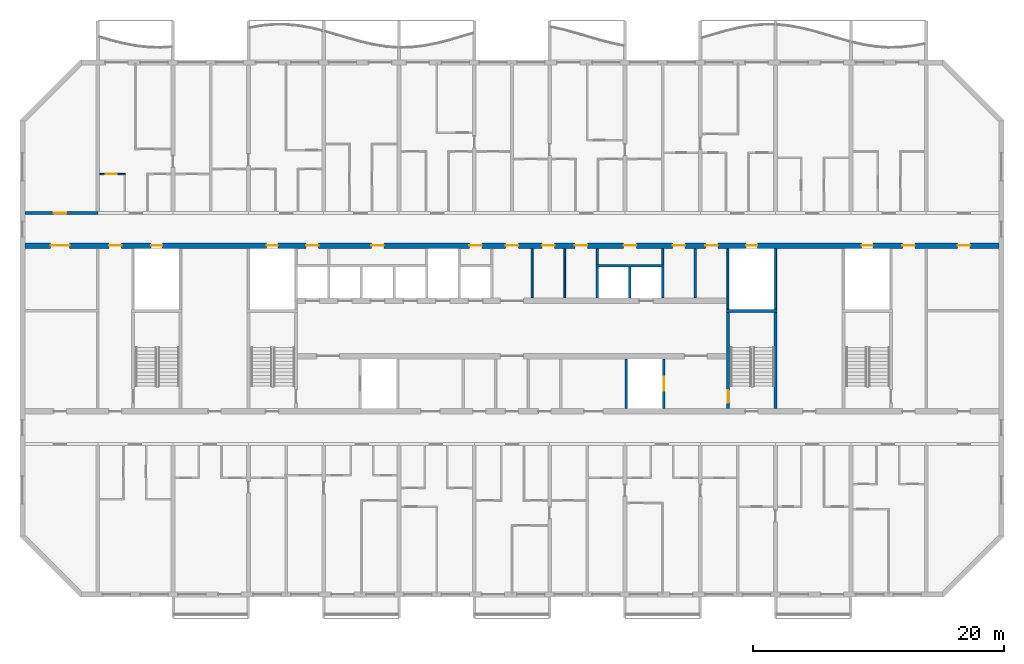
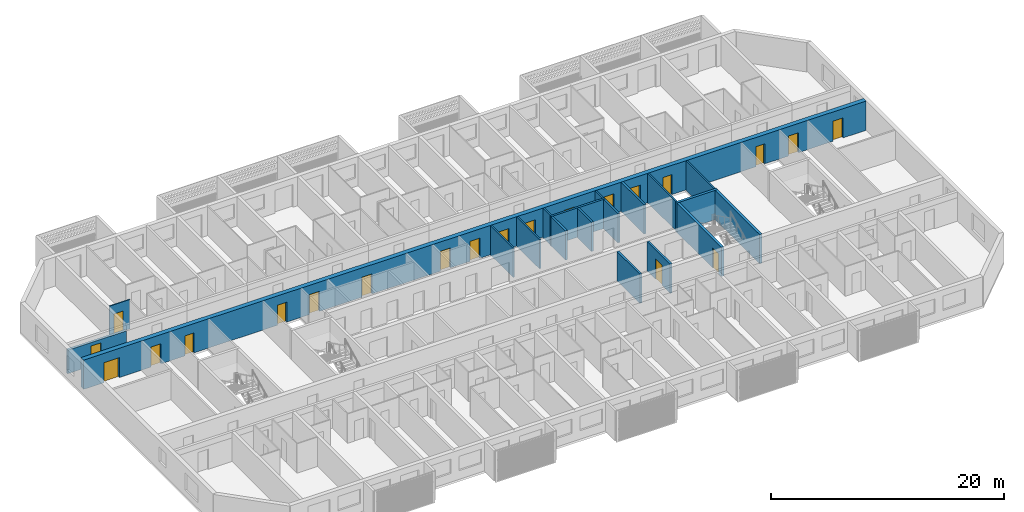
# One storey, part 8 of 33: 21 doors, 19 walls, 21 openings.
"""IFC4 building model written with IfcOpenShell, lengths in metres."""

from ifc_helpers import new_model, si_unit, direction, frame, frame_2d, origin, place, context, subcontext, project, spatial, rectangle, extrude, material, layer, layer_set, type_object, element, fill, save


model = new_model("IFC4")

# Units and contexts
model_context = context("Model", 3, precision=1e-05, world=origin(), true_north=direction((0.0, 1.0)))
body_context = subcontext(model_context, "Body", "Model", "MODEL_VIEW")
ifc_project = project(units=[si_unit("LENGTHUNIT", "METRE"), si_unit("AREAUNIT", "SQUARE_METRE"), si_unit("VOLUMEUNIT", "CUBIC_METRE"), si_unit("PLANEANGLEUNIT", "RADIAN"), si_unit("MASSUNIT", "GRAM", prefix="KILO")], contexts=[model_context])

# Site, building, storey
site_placement = place(None, origin())
site = spatial("IfcSite", under=ifc_project, at=site_placement, CompositionType="ELEMENT")
building_placement = place(site_placement, origin())
building = spatial("IfcBuilding", under=site, at=building_placement, Name="Poui Terraces", CompositionType="ELEMENT")
storey_placement = place(building_placement, frame((0.0, 0.0, 132.300048828125)))
storey = spatial("IfcBuildingStorey", under=building, at=storey_placement, Name="L36", CompositionType="ELEMENT", Elevation=132.300048828125)

# Wall
ifc_material_1 = material(Name="Fire-rated plasterboard wall")
ifc_layer_1 = layer(ifc_material_1, 0.14990234375)
ifc_layer_set_1 = layer_set([ifc_layer_1], Name="Fire-rated plasterboard wall")
wall_type_1 = type_object("IfcWallType", Name="CORRIDOR WALL 150", PredefinedType="PARTITIONING", material=ifc_layer_set_1)
wall_1_placement = place(storey_placement, frame((52.60009765625, 23.635009765625, 0.0), z_axis=(0.0, 0.0, 1.0), x_axis=(0.0, 1.0, 0.0)))
element("IfcWall", 1, at=wall_1_placement, inside=storey, type_object=wall_type_1, Name="CORRIDOR WALL 150", PredefinedType="PARTITIONING", context=body_context, shape_type="SweptSolid", body=[
    extrude(rectangle(XDim=3.929931640625, YDim=0.14990234375, at=frame_2d((1.96484375, 0.0))), origin(), (0.0, 0.0, 1.0), 3.070068359375),
])

# Wall, opening, door
ifc_material_2 = material(Name="Concrete 65 MPa", Category="concrete")
ifc_layer_2 = layer(ifc_material_2, 0.25)
ifc_layer_set_2 = layer_set([ifc_layer_2], Name="Concrete 65 MPa")
wall_type_2 = type_object("IfcWallType", Name="CORRIDOR WALL 250 65MPa", PredefinedType="SHEAR", material=ifc_layer_set_2)
wall_2_placement = place(storey_placement, frame((12.199951171875, 30.39990234375, 0.0), z_axis=(0.0, 0.0, 1.0), x_axis=(1.0, 0.0, 0.0)))
wall_2 = element("IfcWall", 2, at=wall_2_placement, inside=storey, type_object=wall_type_2, Name="CORRIDOR WALL LINE E BAY 1", PredefinedType="SHEAR", context=body_context, shape_type="SweptSolid", body=[
    extrude(rectangle(XDim=5.800048828125, YDim=0.25, at=frame_2d((2.89990234375, 0.0))), origin(), (0.0, 0.0, 1.0), 2.469970703125),
])
opening_1_placement = place(wall_2_placement, frame((2.300048828125, 0.0, 0.0)))
opening_1 = element("IfcOpeningElement", 3, at=opening_1_placement, cuts=wall_2, Name="Opening D100", PredefinedType="OPENING", context=body_context, shape_type="SweptSolid", body=[
    extrude(rectangle(XDim=1.0, YDim=2.10009765625, at=frame_2d((0.5, 1.050048828125))), frame((0.0, 0.135009765625, 0.0), z_axis=(0.0, -1.0, 0.0), x_axis=(1.0, 0.0, 0.0)), (0.0, 0.0, 1.0), 0.27001953125),
])
ifc_material_3 = material(Name="Solid core timber door", Category="wood")
door_type_1 = type_object("IfcDoorType", Name="ACCESSIBLE INTERNAL DOOR 1000 X 2100", OperationType="NOTDEFINED", PredefinedType="DOOR", material=ifc_material_3)
door_1_placement = place(opening_1_placement, origin())
door_1 = element("IfcDoor", 4, at=door_1_placement, inside=storey, type_object=door_type_1, Name="ACCESSIBLE INTERNAL DOOR 031", OperationType="SINGLE_SWING_LEFT", OverallHeight=2.10009765625, OverallWidth=1.0, PredefinedType="DOOR", context=body_context, shape_type="SweptSolid", body=[
    extrude(rectangle(XDim=1.0, YDim=2.10009765625, at=frame_2d((0.5, 1.050048828125))), frame((0.0, 0.02490234375, 0.0), z_axis=(0.0, -1.0, 0.0), x_axis=(1.0, 0.0, 0.0)), (0.0, 0.0, 1.0), 0.050048828125),
])
fill(opening_1, door_1)

ifc_material_4 = material(Name="Plasterboard partition")
ifc_layer_3 = layer(ifc_material_4, 0.10009765625)
ifc_layer_set_3 = layer_set([ifc_layer_3], Name="Plasterboard partition")
wall_type_3 = type_object("IfcWallType", Name="FLAT PARTITION 100", PredefinedType="PARTITIONING", material=ifc_layer_set_3)
wall_3_placement = place(storey_placement, frame((18.159912109375, 33.5, 0.0), z_axis=(0.0, 0.0, 1.0), x_axis=(1.0, 0.0, 0.0)))
wall_3 = element("IfcWall", 5, at=wall_3_placement, inside=storey, type_object=wall_type_3, Name="FLAT PARTITION 100", PredefinedType="PARTITIONING", context=body_context, shape_type="SweptSolid", body=[
    extrude(rectangle(XDim=2.0400390625, YDim=0.10009765625, at=frame_2d((1.02001953125, 0.0))), origin(), (0.0, 0.0, 1.0), 3.070068359375),
])
opening_2_placement = place(wall_3_placement, frame((0.465087890625, 0.0, 0.0)))
opening_2 = element("IfcOpeningElement", 6, at=opening_2_placement, cuts=wall_3, Name="Opening D90", PredefinedType="OPENING", context=body_context, shape_type="SweptSolid", body=[
    extrude(rectangle(XDim=0.89990234375, YDim=2.10009765625, at=frame_2d((0.449951171875, 1.050048828125))), frame((0.0, 0.06005859375, 0.0), z_axis=(0.0, -1.0, 0.0), x_axis=(1.0, 0.0, 0.0)), (0.0, 0.0, 1.0), 0.1201171875),
])
door_type_2 = type_object("IfcDoorType", Name="INTERNAL DOOR 900 X 2100", OperationType="NOTDEFINED", PredefinedType="DOOR", material=ifc_material_3)
door_2_placement = place(opening_2_placement, frame((0.89990234375, 0.0, 0.0), z_axis=(0.0, 0.0, 1.0), x_axis=(-1.0, 0.0, 0.0)))
door_2 = element("IfcDoor", 7, at=door_2_placement, inside=storey, type_object=door_type_2, Name="INTERNAL DOOR 033", OperationType="SINGLE_SWING_LEFT", OverallHeight=2.10009765625, OverallWidth=0.89990234375, PredefinedType="DOOR", context=body_context, shape_type="SweptSolid", body=[
    extrude(rectangle(XDim=0.89990234375, YDim=2.10009765625, at=frame_2d((0.449951171875, 1.050048828125))), frame((0.0, 0.02490234375, 0.0), z_axis=(0.0, -1.0, 0.0), x_axis=(1.0, 0.0, 0.0)), (0.0, 0.0, 1.0), 0.050048828125),
])
fill(opening_2, door_2)

# Walls
ifc_layer_4 = layer(ifc_material_4, 0.14990234375)
ifc_layer_set_4 = layer_set([ifc_layer_4], Name="Plasterboard partition")
wall_type_4 = type_object("IfcWallType", Name="PARTITION WALL 150", PredefinedType="PARTITIONING", material=ifc_layer_set_4)
wall_4_placement = place(storey_placement, frame((55.199951171875, 23.635009765625, 0.0), z_axis=(0.0, 0.0, 1.0), x_axis=(0.0, 1.0, 0.0)))
element("IfcWall", 8, at=wall_4_placement, inside=storey, type_object=wall_type_4, Name="PARTITION WALL 150", PredefinedType="PARTITIONING", context=body_context, shape_type="SweptSolid", body=[
    extrude(rectangle(XDim=3.929931640625, YDim=0.14990234375, at=frame_2d((1.96484375, 0.0))), origin(), (0.0, 0.0, 1.0), 3.070068359375),
])
for number, where, z_axis, x_axis, name in (
    (9, (57.800048828125, 26.300048828125, 0.0), (0.0, 0.0, 1.0), (0.0, 1.0, 0.0), "PARTITION WALL 150"),
    (10, (63.0, 26.300048828125, 0.0), (0.0, 0.0, 1.0), (0.0, 1.0, 0.0), "PARTITION WALL 150"),
):
    element("IfcWall", number, at=place(storey_placement, frame(where, z_axis=z_axis, x_axis=x_axis)), inside=storey, type_object=wall_type_4, Name=name, PredefinedType="PARTITIONING", context=body_context, shape_type="SweptSolid", body=[
        extrude(rectangle(XDim=1.264892578125, YDim=0.14990234375, at=frame_2d((0.63232421875, 0.0))), origin(), (0.0, 0.0, 1.0), 3.070068359375),
    ])
ifc_material_5 = material(Name="Fire-rated masonry wall", Category="masonry")
ifc_layer_5 = layer(ifc_material_5, 0.199951171875)
ifc_layer_set_5 = layer_set([ifc_layer_5], Name="Fire-rated masonry wall")
wall_type_5 = type_object("IfcWallType", Name="PLANT ROOM WALL 200", PredefinedType="PARTITIONING", material=ifc_layer_set_5)
wall_5_placement = place(storey_placement, frame((65.60009765625, 23.635009765625, 0.0), z_axis=(0.0, 0.0, 1.0), x_axis=(0.0, 1.0, 0.0)))
element("IfcWall", 11, at=wall_5_placement, inside=storey, type_object=wall_type_5, Name="PLANT ROOM WALL 200", PredefinedType="PARTITIONING", context=body_context, shape_type="SweptSolid", body=[
    extrude(rectangle(XDim=3.929931640625, YDim=0.199951171875, at=frame_2d((1.96484375, 0.0))), origin(), (0.0, 0.0, 1.0), 3.070068359375),
])
ifc_material_6 = material(Name="Fire-rated plasterboard riser wall")
ifc_layer_6 = layer(ifc_material_6, 0.14990234375)
ifc_layer_set_6 = layer_set([ifc_layer_6], Name="Fire-rated plasterboard riser wall")
wall_type_6 = type_object("IfcWallType", Name="RISER WALL 150", PredefinedType="PARTITIONING", material=ifc_layer_set_6)
for number, where, z_axis, x_axis, name in (
    (12, (68.199951171875, 22.735107421875, 0.0), (0.0, 0.0, 1.0), (0.0, 1.0, 0.0), "RISER WALL 150"),
    (13, (72.0, 22.735107421875, 0.0), (0.0, 0.0, 1.0), (0.0, 1.0, 0.0), "RISER WALL 150"),
):
    element("IfcWall", number, at=place(storey_placement, frame(where, z_axis=z_axis, x_axis=x_axis)), inside=storey, type_object=wall_type_6, Name=name, PredefinedType="PARTITIONING", context=body_context, shape_type="SweptSolid", body=[
        extrude(rectangle(XDim=4.829833984375, YDim=0.14990234375, at=frame_2d((2.4150390625, 0.0))), origin(), (0.0, 0.0, 1.0), 3.070068359375),
    ])
ifc_material_7 = material(Name="Fire-rated masonry shaft wall", Category="masonry")
ifc_layer_7 = layer(ifc_material_7, 0.199951171875)
ifc_layer_set_7 = layer_set([ifc_layer_7], Name="Fire-rated masonry shaft wall")
wall_type_7 = type_object("IfcWallType", Name="SHAFT WALL 200", PredefinedType="PARTITIONING", material=ifc_layer_set_7)
wall_6_placement = place(storey_placement, frame((57.699951171875, 26.199951171875, 0.0), z_axis=(0.0, 0.0, 1.0), x_axis=(1.0, 0.0, 0.0)))
element("IfcWall", 14, at=wall_6_placement, inside=storey, type_object=wall_type_7, Name="SHAFT WALL 200", PredefinedType="PARTITIONING", context=body_context, shape_type="SweptSolid", body=[
    extrude(rectangle(XDim=5.400146484375, YDim=0.199951171875, at=frame_2d((2.7001953125, 0.0))), origin(), (0.0, 0.0, 1.0), 3.070068359375),
])
wall_7_placement = place(storey_placement, frame((57.800048828125, 23.635009765625, 0.0), z_axis=(0.0, 0.0, 1.0), x_axis=(0.0, 1.0, 0.0)))
element("IfcWall", 15, at=wall_7_placement, inside=storey, type_object=wall_type_7, Name="SHAFT WALL 200", PredefinedType="PARTITIONING", context=body_context, shape_type="SweptSolid", body=[
    extrude(rectangle(XDim=2.465087890625, YDim=0.199951171875, at=frame_2d((1.232421875, 0.0))), origin(), (0.0, 0.0, 1.0), 3.070068359375),
])
wall_8_placement = place(storey_placement, frame((60.10009765625, 14.8349609375, 0.0), z_axis=(0.0, 0.0, 1.0), x_axis=(0.0, 1.0, 0.0)))
element("IfcWall", 16, at=wall_8_placement, inside=storey, type_object=wall_type_7, Name="SHAFT WALL 200", PredefinedType="PARTITIONING", context=body_context, shape_type="SweptSolid", body=[
    extrude(rectangle(XDim=3.929931640625, YDim=0.199951171875, at=frame_2d((1.96484375, 0.0))), origin(), (0.0, 0.0, 1.0), 3.070068359375),
])
for number, where, z_axis, x_axis, name in (
    (17, (60.39990234375, 23.635009765625, 0.0), (0.0, 0.0, 1.0), (0.0, 1.0, 0.0), "SHAFT WALL 200"),
    (18, (63.0, 23.635009765625, 0.0), (0.0, 0.0, 1.0), (0.0, 1.0, 0.0), "SHAFT WALL 200"),
):
    element("IfcWall", number, at=place(storey_placement, frame(where, z_axis=z_axis, x_axis=x_axis)), inside=storey, type_object=wall_type_7, Name=name, PredefinedType="PARTITIONING", context=body_context, shape_type="SweptSolid", body=[
        extrude(rectangle(XDim=2.465087890625, YDim=0.199951171875, at=frame_2d((1.232421875, 0.0))), origin(), (0.0, 0.0, 1.0), 3.070068359375),
    ])

# Wall, opening, door
wall_9_placement = place(storey_placement, frame((63.10009765625, 14.8349609375, 0.0), z_axis=(0.0, 0.0, 1.0), x_axis=(0.0, 1.0, 0.0)))
wall_9 = element("IfcWall", 19, at=wall_9_placement, inside=storey, type_object=wall_type_7, Name="SHAFT WALL 200", PredefinedType="PARTITIONING", context=body_context, shape_type="SweptSolid", body=[
    extrude(rectangle(XDim=3.929931640625, YDim=0.199951171875, at=frame_2d((1.96484375, 0.0))), origin(), (0.0, 0.0, 1.0), 3.070068359375),
])
opening_3_placement = place(wall_9_placement, frame((1.4150390625, 0.0, 0.0)))
opening_3 = element("IfcOpeningElement", 20, at=opening_3_placement, cuts=wall_9, Name="Opening LD", PredefinedType="OPENING", context=body_context, shape_type="SweptSolid", body=[
    extrude(rectangle(XDim=1.10009765625, YDim=2.10009765625, at=frame_2d((0.550048828125, 1.050048828125))), frame((0.0, 0.10986328125, 0.0), z_axis=(0.0, -1.0, 0.0), x_axis=(1.0, 0.0, 0.0)), (0.0, 0.0, 1.0), 0.219970703125),
])
ifc_material_8 = material(Name="Stainless steel sliding door", Category="steel")
door_type_3 = type_object("IfcDoorType", Name="LIFT LANDING DOOR 1100 X 2100", OperationType="DOUBLE_DOOR_SLIDING", PredefinedType="DOOR", material=ifc_material_8)
door_3_placement = place(opening_3_placement, origin())
door_3 = element("IfcDoor", 21, at=door_3_placement, inside=storey, type_object=door_type_3, Name="LANDING DOOR", OperationType="DOUBLE_DOOR_SLIDING", OverallHeight=2.10009765625, OverallWidth=1.10009765625, PredefinedType="DOOR", context=body_context, shape_type="SweptSolid", body=[
    extrude(rectangle(XDim=1.10009765625, YDim=2.10009765625, at=frame_2d((0.550048828125, 1.050048828125))), frame((0.0, 0.02490234375, 0.0), z_axis=(0.0, -1.0, 0.0), x_axis=(1.0, 0.0, 0.0)), (0.0, 0.0, 1.0), 0.050048828125),
])
fill(opening_3, door_3)

# Wall, openings, doors
ifc_layer_8 = layer(ifc_material_2, 0.449951171875)
ifc_layer_set_8 = layer_set([ifc_layer_8], Name="Concrete 65 MPa")
wall_type_8 = type_object("IfcWallType", Name="SPINE WALL 450 65 MPA", PredefinedType="SOLIDWALL", material=ifc_layer_set_8)
wall_10_placement = place(storey_placement, frame((12.199951171875, 27.800048828125, 0.0), z_axis=(0.0, 0.0, 1.0), x_axis=(1.0, 0.0, 0.0)))
wall_10 = element("IfcWall", 22, at=wall_10_placement, inside=storey, type_object=wall_type_8, Name="SPINE WALL", PredefinedType="SOLIDWALL", context=body_context, shape_type="SweptSolid", body=[
    extrude(rectangle(XDim=77.60009765625, YDim=0.449951171875, at=frame_2d((38.800048828125, 0.0))), origin(), (0.0, 0.0, 1.0), 3.070068359375),
])
opening_4_placement = place(wall_10_placement, frame((2.050048828125, 0.0, 0.0)))
opening_4 = element("IfcOpeningElement", 23, at=opening_4_placement, cuts=wall_10, Name="Opening FDP", PredefinedType="OPENING", context=body_context, shape_type="SweptSolid", body=[
    extrude(rectangle(XDim=1.5, YDim=2.10009765625, at=frame_2d((0.75, 1.050048828125))), frame((0.0, 0.23486328125, 0.0), z_axis=(0.0, -1.0, 0.0), x_axis=(1.0, 0.0, 0.0)), (0.0, 0.0, 1.0), 0.469970703125),
])
opening_5_placement = place(wall_10_placement, frame((6.699951171875, 0.0, 0.0)))
opening_5 = element("IfcOpeningElement", 24, at=opening_5_placement, cuts=wall_10, Name="Opening FDL", PredefinedType="OPENING", context=body_context, shape_type="SweptSolid", body=[
    extrude(rectangle(XDim=1.0, YDim=2.10009765625, at=frame_2d((0.5, 1.050048828125))), frame((0.0, 0.23486328125, 0.0), z_axis=(0.0, -1.0, 0.0), x_axis=(1.0, 0.0, 0.0)), (0.0, 0.0, 1.0), 0.469970703125),
])
opening_6_placement = place(wall_10_placement, frame((10.050048828125, 0.0, 0.0)))
opening_6 = element("IfcOpeningElement", 25, at=opening_6_placement, cuts=wall_10, Name="Opening FDR", PredefinedType="OPENING", context=body_context, shape_type="SweptSolid", body=[
    extrude(rectangle(XDim=0.89990234375, YDim=2.10009765625, at=frame_2d((0.449951171875, 1.050048828125))), frame((0.0, 0.23486328125, 0.0), z_axis=(0.0, -1.0, 0.0), x_axis=(1.0, 0.0, 0.0)), (0.0, 0.0, 1.0), 0.469970703125),
])
opening_7_placement = place(wall_10_placement, frame((19.25, 0.0, 0.0)))
opening_7 = element("IfcOpeningElement", 26, at=opening_7_placement, cuts=wall_10, Name="Opening FDR", PredefinedType="OPENING", context=body_context, shape_type="SweptSolid", body=[
    extrude(rectangle(XDim=0.89990234375, YDim=2.10009765625, at=frame_2d((0.449951171875, 1.050048828125))), frame((0.0, 0.23486328125, 0.0), z_axis=(0.0, -1.0, 0.0), x_axis=(1.0, 0.0, 0.0)), (0.0, 0.0, 1.0), 0.469970703125),
])
opening_8_placement = place(wall_10_placement, frame((22.39990234375, 0.0, 0.0)))
opening_8 = element("IfcOpeningElement", 27, at=opening_8_placement, cuts=wall_10, Name="Opening FD60", PredefinedType="OPENING", context=body_context, shape_type="SweptSolid", body=[
    extrude(rectangle(XDim=1.0, YDim=2.10009765625, at=frame_2d((0.5, 1.050048828125))), frame((0.0, 0.23486328125, 0.0), z_axis=(0.0, -1.0, 0.0), x_axis=(1.0, 0.0, 0.0)), (0.0, 0.0, 1.0), 0.469970703125),
])
opening_9_placement = place(wall_10_placement, frame((27.60009765625, 0.0, 0.0)))
opening_9 = element("IfcOpeningElement", 28, at=opening_9_placement, cuts=wall_10, Name="Opening FD60", PredefinedType="OPENING", context=body_context, shape_type="SweptSolid", body=[
    extrude(rectangle(XDim=1.0, YDim=2.10009765625, at=frame_2d((0.5, 1.050048828125))), frame((0.0, 0.23486328125, 0.0), z_axis=(0.0, -1.0, 0.0), x_axis=(1.0, 0.0, 0.0)), (0.0, 0.0, 1.0), 0.469970703125),
])
opening_10_placement = place(wall_10_placement, frame((35.39990234375, 0.0, 0.0)))
opening_10 = element("IfcOpeningElement", 29, at=opening_10_placement, cuts=wall_10, Name="Opening FD60", PredefinedType="OPENING", context=body_context, shape_type="SweptSolid", body=[
    extrude(rectangle(XDim=1.0, YDim=2.10009765625, at=frame_2d((0.5, 1.050048828125))), frame((0.0, 0.23486328125, 0.0), z_axis=(0.0, -1.0, 0.0), x_axis=(1.0, 0.0, 0.0)), (0.0, 0.0, 1.0), 0.469970703125),
])
opening_11_placement = place(wall_10_placement, frame((38.300048828125, 0.0, 0.0)))
opening_11 = element("IfcOpeningElement", 30, at=opening_11_placement, cuts=wall_10, Name="Opening FDL", PredefinedType="OPENING", context=body_context, shape_type="SweptSolid", body=[
    extrude(rectangle(XDim=1.0, YDim=2.10009765625, at=frame_2d((0.5, 1.050048828125))), frame((0.0, 0.23486328125, 0.0), z_axis=(0.0, -1.0, 0.0), x_axis=(1.0, 0.0, 0.0)), (0.0, 0.0, 1.0), 0.469970703125),
])
opening_12_placement = place(wall_10_placement, frame((41.199951171875, 0.0, 0.0)))
opening_12 = element("IfcOpeningElement", 31, at=opening_12_placement, cuts=wall_10, Name="Opening FD60", PredefinedType="OPENING", context=body_context, shape_type="SweptSolid", body=[
    extrude(rectangle(XDim=1.0, YDim=2.10009765625, at=frame_2d((0.5, 1.050048828125))), frame((0.0, 0.23486328125, 0.0), z_axis=(0.0, -1.0, 0.0), x_axis=(1.0, 0.0, 0.0)), (0.0, 0.0, 1.0), 0.469970703125),
])
opening_13_placement = place(wall_10_placement, frame((43.800048828125, 0.0, 0.0)))
opening_13 = element("IfcOpeningElement", 32, at=opening_13_placement, cuts=wall_10, Name="Opening FD60", PredefinedType="OPENING", context=body_context, shape_type="SweptSolid", body=[
    extrude(rectangle(XDim=1.0, YDim=2.10009765625, at=frame_2d((0.5, 1.050048828125))), frame((0.0, 0.23486328125, 0.0), z_axis=(0.0, -1.0, 0.0), x_axis=(1.0, 0.0, 0.0)), (0.0, 0.0, 1.0), 0.469970703125),
])
opening_14_placement = place(wall_10_placement, frame((47.699951171875, 0.0, 0.0)))
opening_14 = element("IfcOpeningElement", 33, at=opening_14_placement, cuts=wall_10, Name="Opening FD60", PredefinedType="OPENING", context=body_context, shape_type="SweptSolid", body=[
    extrude(rectangle(XDim=1.0, YDim=2.10009765625, at=frame_2d((0.5, 1.050048828125))), frame((0.0, 0.23486328125, 0.0), z_axis=(0.0, -1.0, 0.0), x_axis=(1.0, 0.0, 0.0)), (0.0, 0.0, 1.0), 0.469970703125),
])
opening_15_placement = place(wall_10_placement, frame((51.60009765625, 0.0, 0.0)))
opening_15 = element("IfcOpeningElement", 34, at=opening_15_placement, cuts=wall_10, Name="Opening FD60", PredefinedType="OPENING", context=body_context, shape_type="SweptSolid", body=[
    extrude(rectangle(XDim=1.0, YDim=2.10009765625, at=frame_2d((0.5, 1.050048828125))), frame((0.0, 0.23486328125, 0.0), z_axis=(0.0, -1.0, 0.0), x_axis=(1.0, 0.0, 0.0)), (0.0, 0.0, 1.0), 0.469970703125),
])
opening_16_placement = place(wall_10_placement, frame((54.199951171875, 0.0, 0.0)))
opening_16 = element("IfcOpeningElement", 35, at=opening_16_placement, cuts=wall_10, Name="Opening FD60", PredefinedType="OPENING", context=body_context, shape_type="SweptSolid", body=[
    extrude(rectangle(XDim=1.0, YDim=2.10009765625, at=frame_2d((0.5, 1.050048828125))), frame((0.0, 0.23486328125, 0.0), z_axis=(0.0, -1.0, 0.0), x_axis=(1.0, 0.0, 0.0)), (0.0, 0.0, 1.0), 0.469970703125),
])
opening_17_placement = place(wall_10_placement, frame((57.449951171875, 0.0, 0.0)))
opening_17 = element("IfcOpeningElement", 36, at=opening_17_placement, cuts=wall_10, Name="Opening FDR", PredefinedType="OPENING", context=body_context, shape_type="SweptSolid", body=[
    extrude(rectangle(XDim=0.89990234375, YDim=2.10009765625, at=frame_2d((0.449951171875, 1.050048828125))), frame((0.0, 0.23486328125, 0.0), z_axis=(0.0, -1.0, 0.0), x_axis=(1.0, 0.0, 0.0)), (0.0, 0.0, 1.0), 0.469970703125),
])
opening_18_placement = place(wall_10_placement, frame((66.64990234375, 0.0, 0.0)))
opening_18 = element("IfcOpeningElement", 37, at=opening_18_placement, cuts=wall_10, Name="Opening FDR", PredefinedType="OPENING", context=body_context, shape_type="SweptSolid", body=[
    extrude(rectangle(XDim=0.89990234375, YDim=2.10009765625, at=frame_2d((0.449951171875, 1.050048828125))), frame((0.0, 0.23486328125, 0.0), z_axis=(0.0, -1.0, 0.0), x_axis=(1.0, 0.0, 0.0)), (0.0, 0.0, 1.0), 0.469970703125),
])
opening_19_placement = place(wall_10_placement, frame((69.89990234375, 0.0, 0.0)))
opening_19 = element("IfcOpeningElement", 38, at=opening_19_placement, cuts=wall_10, Name="Opening FDL", PredefinedType="OPENING", context=body_context, shape_type="SweptSolid", body=[
    extrude(rectangle(XDim=1.0, YDim=2.10009765625, at=frame_2d((0.5, 1.050048828125))), frame((0.0, 0.23486328125, 0.0), z_axis=(0.0, -1.0, 0.0), x_axis=(1.0, 0.0, 0.0)), (0.0, 0.0, 1.0), 0.469970703125),
])
opening_20_placement = place(wall_10_placement, frame((74.300048828125, 0.0, 0.0)))
opening_20 = element("IfcOpeningElement", 39, at=opening_20_placement, cuts=wall_10, Name="Opening FD60", PredefinedType="OPENING", context=body_context, shape_type="SweptSolid", body=[
    extrude(rectangle(XDim=1.0, YDim=2.10009765625, at=frame_2d((0.5, 1.050048828125))), frame((0.0, 0.23486328125, 0.0), z_axis=(0.0, -1.0, 0.0), x_axis=(1.0, 0.0, 0.0)), (0.0, 0.0, 1.0), 0.469970703125),
])
ifc_material_9 = material(Name="Steel fire door", Category="steel")
door_type_4 = type_object("IfcDoorType", Name="LOBBY FIRE DOOR 1000 X 2100", OperationType="NOTDEFINED", PredefinedType="DOOR", material=ifc_material_9)
door_4_placement = place(opening_5_placement, origin())
door_4 = element("IfcDoor", 40, at=door_4_placement, inside=storey, type_object=door_type_4, Name="LOBBY FIRE DOOR 002", OperationType="SINGLE_SWING_LEFT", OverallHeight=2.10009765625, OverallWidth=1.0, PredefinedType="DOOR", context=body_context, shape_type="SweptSolid", body=[
    extrude(rectangle(XDim=1.0, YDim=2.10009765625, at=frame_2d((0.5, 1.050048828125))), frame((0.0, 0.02490234375, 0.0), z_axis=(0.0, -1.0, 0.0), x_axis=(1.0, 0.0, 0.0)), (0.0, 0.0, 1.0), 0.050048828125),
])
fill(opening_5, door_4)
door_5_placement = place(opening_11_placement, origin())
door_5 = element("IfcDoor", 41, at=door_5_placement, inside=storey, type_object=door_type_4, Name="LOBBY FIRE DOOR 008", OperationType="SINGLE_SWING_RIGHT", OverallHeight=2.10009765625, OverallWidth=1.0, PredefinedType="DOOR", context=body_context, shape_type="SweptSolid", body=[
    extrude(rectangle(XDim=1.0, YDim=2.10009765625, at=frame_2d((0.5, 1.050048828125))), frame((0.0, 0.02490234375, 0.0), z_axis=(0.0, -1.0, 0.0), x_axis=(1.0, 0.0, 0.0)), (0.0, 0.0, 1.0), 0.050048828125),
])
fill(opening_11, door_5)
door_6_placement = place(opening_19_placement, origin())
door_6 = element("IfcDoor", 42, at=door_6_placement, inside=storey, type_object=door_type_4, Name="LOBBY FIRE DOOR 016", OperationType="SINGLE_SWING_RIGHT", OverallHeight=2.10009765625, OverallWidth=1.0, PredefinedType="DOOR", context=body_context, shape_type="SweptSolid", body=[
    extrude(rectangle(XDim=1.0, YDim=2.10009765625, at=frame_2d((0.5, 1.050048828125))), frame((0.0, 0.02490234375, 0.0), z_axis=(0.0, -1.0, 0.0), x_axis=(1.0, 0.0, 0.0)), (0.0, 0.0, 1.0), 0.050048828125),
])
fill(opening_19, door_6)
door_type_5 = type_object("IfcDoorType", Name="PLANT ROOM DOOR PAIR 1500 X 2100", OperationType="DOUBLE_DOOR_SINGLE_SWING", PredefinedType="DOOR", material=ifc_material_9)
door_7_placement = place(opening_4_placement, origin())
door_7 = element("IfcDoor", 43, at=door_7_placement, inside=storey, type_object=door_type_5, Name="PLANT ROOM DOOR PAIR 001", OperationType="DOUBLE_DOOR_SINGLE_SWING", OverallHeight=2.10009765625, OverallWidth=1.5, PredefinedType="DOOR", context=body_context, shape_type="SweptSolid", body=[
    extrude(rectangle(XDim=1.5, YDim=2.10009765625, at=frame_2d((0.75, 1.050048828125))), frame((0.0, 0.02490234375, 0.0), z_axis=(0.0, -1.0, 0.0), x_axis=(1.0, 0.0, 0.0)), (0.0, 0.0, 1.0), 0.050048828125),
])
fill(opening_4, door_7)
door_type_6 = type_object("IfcDoorType", Name="RISER CUPBOARD DOOR 900 X 2100", OperationType="NOTDEFINED", PredefinedType="DOOR", material=ifc_material_9)
door_8_placement = place(opening_6_placement, origin())
door_8 = element("IfcDoor", 44, at=door_8_placement, inside=storey, type_object=door_type_6, Name="RISER CUPBOARD DOOR 003", OperationType="SINGLE_SWING_LEFT", OverallHeight=2.10009765625, OverallWidth=0.89990234375, PredefinedType="DOOR", context=body_context, shape_type="SweptSolid", body=[
    extrude(rectangle(XDim=0.89990234375, YDim=2.10009765625, at=frame_2d((0.449951171875, 1.050048828125))), frame((0.0, 0.02490234375, 0.0), z_axis=(0.0, -1.0, 0.0), x_axis=(1.0, 0.0, 0.0)), (0.0, 0.0, 1.0), 0.050048828125),
])
fill(opening_6, door_8)
door_9_placement = place(opening_7_placement, origin())
door_9 = element("IfcDoor", 45, at=door_9_placement, inside=storey, type_object=door_type_6, Name="RISER CUPBOARD DOOR 004", OperationType="SINGLE_SWING_LEFT", OverallHeight=2.10009765625, OverallWidth=0.89990234375, PredefinedType="DOOR", context=body_context, shape_type="SweptSolid", body=[
    extrude(rectangle(XDim=0.89990234375, YDim=2.10009765625, at=frame_2d((0.449951171875, 1.050048828125))), frame((0.0, 0.02490234375, 0.0), z_axis=(0.0, -1.0, 0.0), x_axis=(1.0, 0.0, 0.0)), (0.0, 0.0, 1.0), 0.050048828125),
])
fill(opening_7, door_9)
door_10_placement = place(opening_17_placement, origin())
door_10 = element("IfcDoor", 46, at=door_10_placement, inside=storey, type_object=door_type_6, Name="RISER CUPBOARD DOOR 014", OperationType="SINGLE_SWING_RIGHT", OverallHeight=2.10009765625, OverallWidth=0.89990234375, PredefinedType="DOOR", context=body_context, shape_type="SweptSolid", body=[
    extrude(rectangle(XDim=0.89990234375, YDim=2.10009765625, at=frame_2d((0.449951171875, 1.050048828125))), frame((0.0, 0.02490234375, 0.0), z_axis=(0.0, -1.0, 0.0), x_axis=(1.0, 0.0, 0.0)), (0.0, 0.0, 1.0), 0.050048828125),
])
fill(opening_17, door_10)
door_11_placement = place(opening_18_placement, origin())
door_11 = element("IfcDoor", 47, at=door_11_placement, inside=storey, type_object=door_type_6, Name="RISER CUPBOARD DOOR 015", OperationType="SINGLE_SWING_RIGHT", OverallHeight=2.10009765625, OverallWidth=0.89990234375, PredefinedType="DOOR", context=body_context, shape_type="SweptSolid", body=[
    extrude(rectangle(XDim=0.89990234375, YDim=2.10009765625, at=frame_2d((0.449951171875, 1.050048828125))), frame((0.0, 0.02490234375, 0.0), z_axis=(0.0, -1.0, 0.0), x_axis=(1.0, 0.0, 0.0)), (0.0, 0.0, 1.0), 0.050048828125),
])
fill(opening_18, door_11)
door_type_7 = type_object("IfcDoorType", Name="SERVICE ROOM FIRE DOOR 1000 X 2100", OperationType="NOTDEFINED", PredefinedType="DOOR", material=ifc_material_9)
door_12_placement = place(opening_8_placement, origin())
door_12 = element("IfcDoor", 48, at=door_12_placement, inside=storey, type_object=door_type_7, Name="SERVICE ROOM FIRE DOOR 005", OperationType="SINGLE_SWING_LEFT", OverallHeight=2.10009765625, OverallWidth=1.0, PredefinedType="DOOR", context=body_context, shape_type="SweptSolid", body=[
    extrude(rectangle(XDim=1.0, YDim=2.10009765625, at=frame_2d((0.5, 1.050048828125))), frame((0.0, 0.02490234375, 0.0), z_axis=(0.0, -1.0, 0.0), x_axis=(1.0, 0.0, 0.0)), (0.0, 0.0, 1.0), 0.050048828125),
])
fill(opening_8, door_12)
door_13_placement = place(opening_9_placement, origin())
door_13 = element("IfcDoor", 49, at=door_13_placement, inside=storey, type_object=door_type_7, Name="SERVICE ROOM FIRE DOOR 006", OperationType="SINGLE_SWING_RIGHT", OverallHeight=2.10009765625, OverallWidth=1.0, PredefinedType="DOOR", context=body_context, shape_type="SweptSolid", body=[
    extrude(rectangle(XDim=1.0, YDim=2.10009765625, at=frame_2d((0.5, 1.050048828125))), frame((0.0, 0.02490234375, 0.0), z_axis=(0.0, -1.0, 0.0), x_axis=(1.0, 0.0, 0.0)), (0.0, 0.0, 1.0), 0.050048828125),
])
fill(opening_9, door_13)
door_14_placement = place(opening_10_placement, origin())
door_14 = element("IfcDoor", 50, at=door_14_placement, inside=storey, type_object=door_type_7, Name="SERVICE ROOM FIRE DOOR 007", OperationType="SINGLE_SWING_LEFT", OverallHeight=2.10009765625, OverallWidth=1.0, PredefinedType="DOOR", context=body_context, shape_type="SweptSolid", body=[
    extrude(rectangle(XDim=1.0, YDim=2.10009765625, at=frame_2d((0.5, 1.050048828125))), frame((0.0, 0.02490234375, 0.0), z_axis=(0.0, -1.0, 0.0), x_axis=(1.0, 0.0, 0.0)), (0.0, 0.0, 1.0), 0.050048828125),
])
fill(opening_10, door_14)
door_15_placement = place(opening_12_placement, origin())
door_15 = element("IfcDoor", 51, at=door_15_placement, inside=storey, type_object=door_type_7, Name="SERVICE ROOM FIRE DOOR 009", OperationType="SINGLE_SWING_RIGHT", OverallHeight=2.10009765625, OverallWidth=1.0, PredefinedType="DOOR", context=body_context, shape_type="SweptSolid", body=[
    extrude(rectangle(XDim=1.0, YDim=2.10009765625, at=frame_2d((0.5, 1.050048828125))), frame((0.0, 0.02490234375, 0.0), z_axis=(0.0, -1.0, 0.0), x_axis=(1.0, 0.0, 0.0)), (0.0, 0.0, 1.0), 0.050048828125),
])
fill(opening_12, door_15)
door_16_placement = place(opening_13_placement, origin())
door_16 = element("IfcDoor", 52, at=door_16_placement, inside=storey, type_object=door_type_7, Name="SERVICE ROOM FIRE DOOR 010", OperationType="SINGLE_SWING_LEFT", OverallHeight=2.10009765625, OverallWidth=1.0, PredefinedType="DOOR", context=body_context, shape_type="SweptSolid", body=[
    extrude(rectangle(XDim=1.0, YDim=2.10009765625, at=frame_2d((0.5, 1.050048828125))), frame((0.0, 0.02490234375, 0.0), z_axis=(0.0, -1.0, 0.0), x_axis=(1.0, 0.0, 0.0)), (0.0, 0.0, 1.0), 0.050048828125),
])
fill(opening_13, door_16)
door_17_placement = place(opening_14_placement, origin())
door_17 = element("IfcDoor", 53, at=door_17_placement, inside=storey, type_object=door_type_7, Name="SERVICE ROOM FIRE DOOR 011", OperationType="SINGLE_SWING_RIGHT", OverallHeight=2.10009765625, OverallWidth=1.0, PredefinedType="DOOR", context=body_context, shape_type="SweptSolid", body=[
    extrude(rectangle(XDim=1.0, YDim=2.10009765625, at=frame_2d((0.5, 1.050048828125))), frame((0.0, 0.02490234375, 0.0), z_axis=(0.0, -1.0, 0.0), x_axis=(1.0, 0.0, 0.0)), (0.0, 0.0, 1.0), 0.050048828125),
])
fill(opening_14, door_17)
door_18_placement = place(opening_15_placement, origin())
door_18 = element("IfcDoor", 54, at=door_18_placement, inside=storey, type_object=door_type_7, Name="SERVICE ROOM FIRE DOOR 012", OperationType="SINGLE_SWING_LEFT", OverallHeight=2.10009765625, OverallWidth=1.0, PredefinedType="DOOR", context=body_context, shape_type="SweptSolid", body=[
    extrude(rectangle(XDim=1.0, YDim=2.10009765625, at=frame_2d((0.5, 1.050048828125))), frame((0.0, 0.02490234375, 0.0), z_axis=(0.0, -1.0, 0.0), x_axis=(1.0, 0.0, 0.0)), (0.0, 0.0, 1.0), 0.050048828125),
])
fill(opening_15, door_18)
door_19_placement = place(opening_16_placement, origin())
door_19 = element("IfcDoor", 55, at=door_19_placement, inside=storey, type_object=door_type_7, Name="SERVICE ROOM FIRE DOOR 013", OperationType="SINGLE_SWING_RIGHT", OverallHeight=2.10009765625, OverallWidth=1.0, PredefinedType="DOOR", context=body_context, shape_type="SweptSolid", body=[
    extrude(rectangle(XDim=1.0, YDim=2.10009765625, at=frame_2d((0.5, 1.050048828125))), frame((0.0, 0.02490234375, 0.0), z_axis=(0.0, -1.0, 0.0), x_axis=(1.0, 0.0, 0.0)), (0.0, 0.0, 1.0), 0.050048828125),
])
fill(opening_16, door_19)
door_20_placement = place(opening_20_placement, origin())
door_20 = element("IfcDoor", 56, at=door_20_placement, inside=storey, type_object=door_type_7, Name="SERVICE ROOM FIRE DOOR 017", OperationType="SINGLE_SWING_RIGHT", OverallHeight=2.10009765625, OverallWidth=1.0, PredefinedType="DOOR", context=body_context, shape_type="SweptSolid", body=[
    extrude(rectangle(XDim=1.0, YDim=2.10009765625, at=frame_2d((0.5, 1.050048828125))), frame((0.0, 0.02490234375, 0.0), z_axis=(0.0, -1.0, 0.0), x_axis=(1.0, 0.0, 0.0)), (0.0, 0.0, 1.0), 0.050048828125),
])
fill(opening_20, door_20)

# Wall, opening, door
ifc_layer_9 = layer(ifc_material_2, 0.25)
ifc_layer_set_9 = layer_set([ifc_layer_9], Name="Concrete 65 MPa")
wall_type_9 = type_object("IfcWallType", Name="STAIR CORE WALL 250 65 MPA", PredefinedType="SOLIDWALL", material=ifc_layer_set_9)
wall_11_placement = place(storey_placement, frame((68.199951171875, 14.824951171875, 0.0), z_axis=(0.0, 0.0, 1.0), x_axis=(0.0, 1.0, 0.0)))
wall_11 = element("IfcWall", 57, at=wall_11_placement, inside=storey, type_object=wall_type_9, Name="STAIR CORE WALL", PredefinedType="SOLIDWALL", context=body_context, shape_type="SweptSolid", body=[
    extrude(rectangle(XDim=7.650146484375, YDim=0.25, at=frame_2d((3.8251953125, 0.0))), origin(), (0.0, 0.0, 1.0), 3.070068359375),
])
opening_21_placement = place(wall_11_placement, frame((0.47509765625, 0.0, 0.0)))
opening_21 = element("IfcOpeningElement", 58, at=opening_21_placement, cuts=wall_11, Name="Opening FD60S", PredefinedType="OPENING", context=body_context, shape_type="SweptSolid", body=[
    extrude(rectangle(XDim=1.0, YDim=2.10009765625, at=frame_2d((0.5, 1.050048828125))), frame((0.0, 0.135009765625, 0.0), z_axis=(0.0, -1.0, 0.0), x_axis=(1.0, 0.0, 0.0)), (0.0, 0.0, 1.0), 0.27001953125),
])
door_type_8 = type_object("IfcDoorType", Name="STAIR DOOR 1000 X 2100", OperationType="NOTDEFINED", PredefinedType="DOOR", material=ifc_material_9)
door_21_placement = place(opening_21_placement, frame((1.0, 0.0, 0.0), z_axis=(0.0, 0.0, 1.0), x_axis=(-1.0, 0.0, 0.0)))
door_21 = element("IfcDoor", 59, at=door_21_placement, inside=storey, type_object=door_type_8, Name="STAIR DOOR 118", OperationType="SINGLE_SWING_LEFT", OverallHeight=2.10009765625, OverallWidth=1.0, PredefinedType="DOOR", context=body_context, shape_type="SweptSolid", body=[
    extrude(rectangle(XDim=1.0, YDim=2.10009765625, at=frame_2d((0.5, 1.050048828125))), frame((0.0, 0.02490234375, 0.0), z_axis=(0.0, -1.0, 0.0), x_axis=(1.0, 0.0, 0.0)), (0.0, 0.0, 1.0), 0.050048828125),
])
fill(opening_21, door_21)

# Walls
wall_12_placement = place(storey_placement, frame((72.0, 14.824951171875, 0.0), z_axis=(0.0, 0.0, 1.0), x_axis=(0.0, 1.0, 0.0)))
element("IfcWall", 60, at=wall_12_placement, inside=storey, type_object=wall_type_9, Name="STAIR CORE WALL", PredefinedType="SOLIDWALL", context=body_context, shape_type="SweptSolid", body=[
    extrude(rectangle(XDim=7.650146484375, YDim=0.25, at=frame_2d((3.8251953125, 0.0))), origin(), (0.0, 0.0, 1.0), 3.070068359375),
])
wall_13_placement = place(storey_placement, frame((68.074951171875, 22.60009765625, 0.0), z_axis=(0.0, 0.0, 1.0), x_axis=(1.0, 0.0, 0.0)))
element("IfcWall", 61, at=wall_13_placement, inside=storey, type_object=wall_type_9, Name="STAIR CORE WALL", PredefinedType="SOLIDWALL", context=body_context, shape_type="SweptSolid", body=[
    extrude(rectangle(XDim=4.050048828125, YDim=0.25, at=frame_2d((2.02490234375, 0.0))), origin(), (0.0, 0.0, 1.0), 3.070068359375),
])

save(model, "model.ifc")
